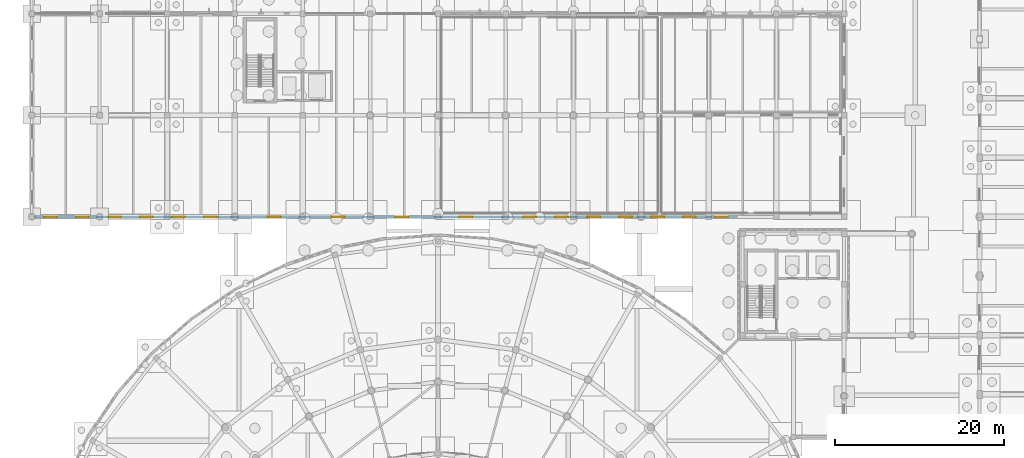
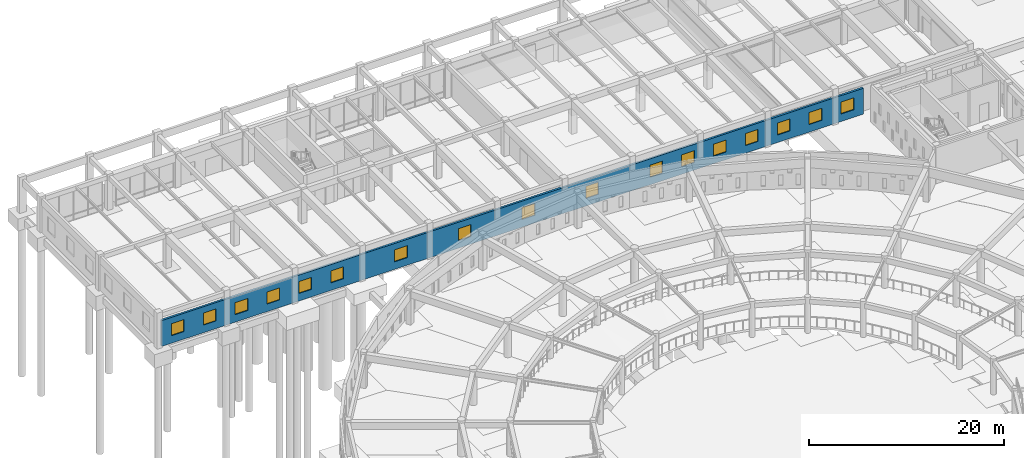
# One storey, part 53 of 84: 17 windows, 1 wall, 17 openings.
"""IFC4 building model written with IfcOpenShell, lengths in metres."""

from ifc_helpers import new_model, si_unit, direction, frame, frame_2d, origin, place, context, subcontext, project, spatial, rectangle, extrude, material, layer, layer_set, type_object, element, fill, save


model = new_model("IFC4")

# Units and contexts
model_context = context("Model", 3, precision=1e-05, world=origin(), true_north=direction((0.0, 1.0)))
body_context = subcontext(model_context, "Body", "Model", "MODEL_VIEW")
ifc_project = project(units=[si_unit("LENGTHUNIT", "METRE"), si_unit("AREAUNIT", "SQUARE_METRE"), si_unit("VOLUMEUNIT", "CUBIC_METRE"), si_unit("PLANEANGLEUNIT", "RADIAN"), si_unit("MASSUNIT", "GRAM", prefix="KILO")], contexts=[model_context])

# Site, building, storey
site_placement = place(None, origin())
site = spatial("IfcSite", under=ifc_project, at=site_placement, CompositionType="ELEMENT")
building_placement = place(site_placement, origin())
building = spatial("IfcBuilding", under=site, at=building_placement, Name="Larkveld Mobility Hub", CompositionType="ELEMENT")
storey_placement = place(building_placement, origin())
storey = spatial("IfcBuildingStorey", under=building, at=storey_placement, Name="L00", CompositionType="ELEMENT", Elevation=0.0)

# Wall, openings, windows
ifc_material_1 = material(Name="Precast concrete C50/60", Category="concrete")
ifc_layer = layer(ifc_material_1, 0.239990234375, Name="Precast concrete C50/60", Category="concrete")
ifc_layer_set = layer_set([ifc_layer], Name="Precast concrete C50/60")
wall_type = type_object("IfcWallType", Name="WL-EXT-240", PredefinedType="SOLIDWALL", material=ifc_layer_set)
wall_placement = place(storey_placement, frame((0.3349609375, 98.0, 0.0), z_axis=(0.0, 0.0, 1.0), x_axis=(1.0, 0.0, 0.0)))
wall = element("IfcWall", 1, at=wall_placement, inside=storey, type_object=wall_type, Name="Bicycle Hall South Court Wall L00-0184", PredefinedType="SOLIDWALL", context=body_context, shape_type="SweptSolid", body=[
    extrude(rectangle(XDim=83.06494140625, YDim=0.239990234375, at=frame_2d((41.532470703125, 0.0))), origin(), (0.0, 0.0, 1.0), 3.2451171875),
])
opening_1_placement = place(wall_placement, frame((1.137939453125, 0.0, 0.949951171875)))
opening_1 = element("IfcOpeningElement", 2, at=opening_1_placement, cuts=wall, Name="Opening W06", PredefinedType="OPENING", context=body_context, shape_type="SweptSolid", body=[
    extrude(rectangle(XDim=1.5, YDim=1.5, at=frame_2d((0.75, 0.75))), frame((0.0, 0.1298828125, 0.0), z_axis=(0.0, -1.0, 0.0), x_axis=(1.0, 0.0, 0.0)), (0.0, 0.0, 1.0), 0.260009765625),
])
opening_2_placement = place(wall_placement, frame((4.9140625, 0.0, 0.949951171875)))
opening_2 = element("IfcOpeningElement", 3, at=opening_2_placement, cuts=wall, Name="Opening W06", PredefinedType="OPENING", context=body_context, shape_type="SweptSolid", body=[
    extrude(rectangle(XDim=1.5, YDim=1.5, at=frame_2d((0.75, 0.75))), frame((0.0, 0.1298828125, 0.0), z_axis=(0.0, -1.0, 0.0), x_axis=(1.0, 0.0, 0.0)), (0.0, 0.0, 1.0), 0.260009765625),
])
opening_3_placement = place(wall_placement, frame((8.68896484375, 0.0, 0.949951171875)))
opening_3 = element("IfcOpeningElement", 4, at=opening_3_placement, cuts=wall, Name="Opening W06", PredefinedType="OPENING", context=body_context, shape_type="SweptSolid", body=[
    extrude(rectangle(XDim=1.5, YDim=1.5, at=frame_2d((0.75, 0.75))), frame((0.0, 0.1298828125, 0.0), z_axis=(0.0, -1.0, 0.0), x_axis=(1.0, 0.0, 0.0)), (0.0, 0.0, 1.0), 0.260009765625),
])
opening_4_placement = place(wall_placement, frame((12.465087890625, 0.0, 0.949951171875)))
opening_4 = element("IfcOpeningElement", 5, at=opening_4_placement, cuts=wall, Name="Opening W06", PredefinedType="OPENING", context=body_context, shape_type="SweptSolid", body=[
    extrude(rectangle(XDim=1.5, YDim=1.5, at=frame_2d((0.75, 0.75))), frame((0.0, 0.1298828125, 0.0), z_axis=(0.0, -1.0, 0.0), x_axis=(1.0, 0.0, 0.0)), (0.0, 0.0, 1.0), 0.260009765625),
])
opening_5_placement = place(wall_placement, frame((16.240966796875, 0.0, 0.949951171875)))
opening_5 = element("IfcOpeningElement", 6, at=opening_5_placement, cuts=wall, Name="Opening W06", PredefinedType="OPENING", context=body_context, shape_type="SweptSolid", body=[
    extrude(rectangle(XDim=1.5, YDim=1.5, at=frame_2d((0.75, 0.75))), frame((0.0, 0.1298828125, 0.0), z_axis=(0.0, -1.0, 0.0), x_axis=(1.0, 0.0, 0.0)), (0.0, 0.0, 1.0), 0.260009765625),
])
opening_6_placement = place(wall_placement, frame((20.01611328125, 0.0, 0.949951171875)))
opening_6 = element("IfcOpeningElement", 7, at=opening_6_placement, cuts=wall, Name="Opening W06", PredefinedType="OPENING", context=body_context, shape_type="SweptSolid", body=[
    extrude(rectangle(XDim=1.5, YDim=1.5, at=frame_2d((0.75, 0.75))), frame((0.0, 0.1298828125, 0.0), z_axis=(0.0, -1.0, 0.0), x_axis=(1.0, 0.0, 0.0)), (0.0, 0.0, 1.0), 0.260009765625),
])
opening_7_placement = place(wall_placement, frame((27.568115234375, 0.0, 0.949951171875)))
opening_7 = element("IfcOpeningElement", 8, at=opening_7_placement, cuts=wall, Name="Opening W06", PredefinedType="OPENING", context=body_context, shape_type="SweptSolid", body=[
    extrude(rectangle(XDim=1.5, YDim=1.5, at=frame_2d((0.75, 0.75))), frame((0.0, 0.1298828125, 0.0), z_axis=(0.0, -1.0, 0.0), x_axis=(1.0, 0.0, 0.0)), (0.0, 0.0, 1.0), 0.260009765625),
])
opening_8_placement = place(wall_placement, frame((35.118896484375, 0.0, 0.949951171875)))
opening_8 = element("IfcOpeningElement", 9, at=opening_8_placement, cuts=wall, Name="Opening W06", PredefinedType="OPENING", context=body_context, shape_type="SweptSolid", body=[
    extrude(rectangle(XDim=1.5, YDim=1.5, at=frame_2d((0.75, 0.75))), frame((0.0, 0.1298828125, 0.0), z_axis=(0.0, -1.0, 0.0), x_axis=(1.0, 0.0, 0.0)), (0.0, 0.0, 1.0), 0.260009765625),
])
opening_9_placement = place(wall_placement, frame((42.669921875, 0.0, 0.949951171875)))
opening_9 = element("IfcOpeningElement", 10, at=opening_9_placement, cuts=wall, Name="Opening W06", PredefinedType="OPENING", context=body_context, shape_type="SweptSolid", body=[
    extrude(rectangle(XDim=1.5, YDim=1.5, at=frame_2d((0.75, 0.75))), frame((0.0, 0.1298828125, 0.0), z_axis=(0.0, -1.0, 0.0), x_axis=(1.0, 0.0, 0.0)), (0.0, 0.0, 1.0), 0.260009765625),
])
opening_10_placement = place(wall_placement, frame((50.221923828125, 0.0, 0.949951171875)))
opening_10 = element("IfcOpeningElement", 11, at=opening_10_placement, cuts=wall, Name="Opening W06", PredefinedType="OPENING", context=body_context, shape_type="SweptSolid", body=[
    extrude(rectangle(XDim=1.5, YDim=1.5, at=frame_2d((0.75, 0.75))), frame((0.0, 0.1298828125, 0.0), z_axis=(0.0, -1.0, 0.0), x_axis=(1.0, 0.0, 0.0)), (0.0, 0.0, 1.0), 0.260009765625),
])
opening_11_placement = place(wall_placement, frame((57.77294921875, 0.0, 0.949951171875)))
opening_11 = element("IfcOpeningElement", 12, at=opening_11_placement, cuts=wall, Name="Opening W06", PredefinedType="OPENING", context=body_context, shape_type="SweptSolid", body=[
    extrude(rectangle(XDim=1.5, YDim=1.5, at=frame_2d((0.75, 0.75))), frame((0.0, 0.1298828125, 0.0), z_axis=(0.0, -1.0, 0.0), x_axis=(1.0, 0.0, 0.0)), (0.0, 0.0, 1.0), 0.260009765625),
])
opening_12_placement = place(wall_placement, frame((61.549072265625, 0.0, 0.949951171875)))
opening_12 = element("IfcOpeningElement", 13, at=opening_12_placement, cuts=wall, Name="Opening W06", PredefinedType="OPENING", context=body_context, shape_type="SweptSolid", body=[
    extrude(rectangle(XDim=1.5, YDim=1.5, at=frame_2d((0.75, 0.75))), frame((0.0, 0.1298828125, 0.0), z_axis=(0.0, -1.0, 0.0), x_axis=(1.0, 0.0, 0.0)), (0.0, 0.0, 1.0), 0.260009765625),
])
opening_13_placement = place(wall_placement, frame((65.323974609375, 0.0, 0.949951171875)))
opening_13 = element("IfcOpeningElement", 14, at=opening_13_placement, cuts=wall, Name="Opening W06", PredefinedType="OPENING", context=body_context, shape_type="SweptSolid", body=[
    extrude(rectangle(XDim=1.5, YDim=1.5, at=frame_2d((0.75, 0.75))), frame((0.0, 0.1298828125, 0.0), z_axis=(0.0, -1.0, 0.0), x_axis=(1.0, 0.0, 0.0)), (0.0, 0.0, 1.0), 0.260009765625),
])
opening_14_placement = place(wall_placement, frame((69.10009765625, 0.0, 0.949951171875)))
opening_14 = element("IfcOpeningElement", 15, at=opening_14_placement, cuts=wall, Name="Opening W06", PredefinedType="OPENING", context=body_context, shape_type="SweptSolid", body=[
    extrude(rectangle(XDim=1.5, YDim=1.5, at=frame_2d((0.75, 0.75))), frame((0.0, 0.1298828125, 0.0), z_axis=(0.0, -1.0, 0.0), x_axis=(1.0, 0.0, 0.0)), (0.0, 0.0, 1.0), 0.260009765625),
])
opening_15_placement = place(wall_placement, frame((72.8759765625, 0.0, 0.949951171875)))
opening_15 = element("IfcOpeningElement", 16, at=opening_15_placement, cuts=wall, Name="Opening W06", PredefinedType="OPENING", context=body_context, shape_type="SweptSolid", body=[
    extrude(rectangle(XDim=1.5, YDim=1.5, at=frame_2d((0.75, 0.75))), frame((0.0, 0.1298828125, 0.0), z_axis=(0.0, -1.0, 0.0), x_axis=(1.0, 0.0, 0.0)), (0.0, 0.0, 1.0), 0.260009765625),
])
opening_16_placement = place(wall_placement, frame((76.65087890625, 0.0, 0.949951171875)))
opening_16 = element("IfcOpeningElement", 17, at=opening_16_placement, cuts=wall, Name="Opening W06", PredefinedType="OPENING", context=body_context, shape_type="SweptSolid", body=[
    extrude(rectangle(XDim=1.5, YDim=1.5, at=frame_2d((0.75, 0.75))), frame((0.0, 0.1298828125, 0.0), z_axis=(0.0, -1.0, 0.0), x_axis=(1.0, 0.0, 0.0)), (0.0, 0.0, 1.0), 0.260009765625),
])
opening_17_placement = place(wall_placement, frame((80.427001953125, 0.0, 0.949951171875)))
opening_17 = element("IfcOpeningElement", 18, at=opening_17_placement, cuts=wall, Name="Opening W06", PredefinedType="OPENING", context=body_context, shape_type="SweptSolid", body=[
    extrude(rectangle(XDim=1.5, YDim=1.5, at=frame_2d((0.75, 0.75))), frame((0.0, 0.1298828125, 0.0), z_axis=(0.0, -1.0, 0.0), x_axis=(1.0, 0.0, 0.0)), (0.0, 0.0, 1.0), 0.260009765625),
])
ifc_material_2 = material(Name="Low-E double glazing in aluminium frame", Category="aluminium")
window_type = type_object("IfcWindowType", Name="WN-ALU-06", PartitioningType="SINGLE_PANEL", PredefinedType="WINDOW", material=ifc_material_2)
window_1_placement = place(opening_1_placement, origin())
window_1 = element("IfcWindow", 19, at=window_1_placement, inside=storey, type_object=window_type, Name="Window W06 (0846)", OverallHeight=1.5, OverallWidth=1.5, PartitioningType="SINGLE_PANEL", PredefinedType="WINDOW", context=body_context, shape_type="SweptSolid", body=[
    extrude(rectangle(XDim=1.5, YDim=1.5, at=frame_2d((0.75, 0.75))), frame((0.0, 0.030029296875, 0.0), z_axis=(0.0, -1.0, 0.0), x_axis=(1.0, 0.0, 0.0)), (0.0, 0.0, 1.0), 0.06005859375),
])
fill(opening_1, window_1)
window_2_placement = place(opening_2_placement, origin())
window_2 = element("IfcWindow", 20, at=window_2_placement, inside=storey, type_object=window_type, Name="Window W06 (0847)", OverallHeight=1.5, OverallWidth=1.5, PartitioningType="SINGLE_PANEL", PredefinedType="WINDOW", context=body_context, shape_type="SweptSolid", body=[
    extrude(rectangle(XDim=1.5, YDim=1.5, at=frame_2d((0.75, 0.75))), frame((0.0, 0.030029296875, 0.0), z_axis=(0.0, -1.0, 0.0), x_axis=(1.0, 0.0, 0.0)), (0.0, 0.0, 1.0), 0.06005859375),
])
fill(opening_2, window_2)
window_3_placement = place(opening_3_placement, origin())
window_3 = element("IfcWindow", 21, at=window_3_placement, inside=storey, type_object=window_type, Name="Window W06 (0848)", OverallHeight=1.5, OverallWidth=1.5, PartitioningType="SINGLE_PANEL", PredefinedType="WINDOW", context=body_context, shape_type="SweptSolid", body=[
    extrude(rectangle(XDim=1.5, YDim=1.5, at=frame_2d((0.75, 0.75))), frame((0.0, 0.030029296875, 0.0), z_axis=(0.0, -1.0, 0.0), x_axis=(1.0, 0.0, 0.0)), (0.0, 0.0, 1.0), 0.06005859375),
])
fill(opening_3, window_3)
window_4_placement = place(opening_4_placement, origin())
window_4 = element("IfcWindow", 22, at=window_4_placement, inside=storey, type_object=window_type, Name="Window W06 (0849)", OverallHeight=1.5, OverallWidth=1.5, PartitioningType="SINGLE_PANEL", PredefinedType="WINDOW", context=body_context, shape_type="SweptSolid", body=[
    extrude(rectangle(XDim=1.5, YDim=1.5, at=frame_2d((0.75, 0.75))), frame((0.0, 0.030029296875, 0.0), z_axis=(0.0, -1.0, 0.0), x_axis=(1.0, 0.0, 0.0)), (0.0, 0.0, 1.0), 0.06005859375),
])
fill(opening_4, window_4)
window_5_placement = place(opening_5_placement, origin())
window_5 = element("IfcWindow", 23, at=window_5_placement, inside=storey, type_object=window_type, Name="Window W06 (0850)", OverallHeight=1.5, OverallWidth=1.5, PartitioningType="SINGLE_PANEL", PredefinedType="WINDOW", context=body_context, shape_type="SweptSolid", body=[
    extrude(rectangle(XDim=1.5, YDim=1.5, at=frame_2d((0.75, 0.75))), frame((0.0, 0.030029296875, 0.0), z_axis=(0.0, -1.0, 0.0), x_axis=(1.0, 0.0, 0.0)), (0.0, 0.0, 1.0), 0.06005859375),
])
fill(opening_5, window_5)
window_6_placement = place(opening_6_placement, origin())
window_6 = element("IfcWindow", 24, at=window_6_placement, inside=storey, type_object=window_type, Name="Window W06 (0851)", OverallHeight=1.5, OverallWidth=1.5, PartitioningType="SINGLE_PANEL", PredefinedType="WINDOW", context=body_context, shape_type="SweptSolid", body=[
    extrude(rectangle(XDim=1.5, YDim=1.5, at=frame_2d((0.75, 0.75))), frame((0.0, 0.030029296875, 0.0), z_axis=(0.0, -1.0, 0.0), x_axis=(1.0, 0.0, 0.0)), (0.0, 0.0, 1.0), 0.06005859375),
])
fill(opening_6, window_6)
window_7_placement = place(opening_7_placement, origin())
window_7 = element("IfcWindow", 25, at=window_7_placement, inside=storey, type_object=window_type, Name="Window W06 (0852)", OverallHeight=1.5, OverallWidth=1.5, PartitioningType="SINGLE_PANEL", PredefinedType="WINDOW", context=body_context, shape_type="SweptSolid", body=[
    extrude(rectangle(XDim=1.5, YDim=1.5, at=frame_2d((0.75, 0.75))), frame((0.0, 0.030029296875, 0.0), z_axis=(0.0, -1.0, 0.0), x_axis=(1.0, 0.0, 0.0)), (0.0, 0.0, 1.0), 0.06005859375),
])
fill(opening_7, window_7)
window_8_placement = place(opening_8_placement, origin())
window_8 = element("IfcWindow", 26, at=window_8_placement, inside=storey, type_object=window_type, Name="Window W06 (0853)", OverallHeight=1.5, OverallWidth=1.5, PartitioningType="SINGLE_PANEL", PredefinedType="WINDOW", context=body_context, shape_type="SweptSolid", body=[
    extrude(rectangle(XDim=1.5, YDim=1.5, at=frame_2d((0.75, 0.75))), frame((0.0, 0.030029296875, 0.0), z_axis=(0.0, -1.0, 0.0), x_axis=(1.0, 0.0, 0.0)), (0.0, 0.0, 1.0), 0.06005859375),
])
fill(opening_8, window_8)
window_9_placement = place(opening_9_placement, origin())
window_9 = element("IfcWindow", 27, at=window_9_placement, inside=storey, type_object=window_type, Name="Window W06 (0854)", OverallHeight=1.5, OverallWidth=1.5, PartitioningType="SINGLE_PANEL", PredefinedType="WINDOW", context=body_context, shape_type="SweptSolid", body=[
    extrude(rectangle(XDim=1.5, YDim=1.5, at=frame_2d((0.75, 0.75))), frame((0.0, 0.030029296875, 0.0), z_axis=(0.0, -1.0, 0.0), x_axis=(1.0, 0.0, 0.0)), (0.0, 0.0, 1.0), 0.06005859375),
])
fill(opening_9, window_9)
window_10_placement = place(opening_10_placement, origin())
window_10 = element("IfcWindow", 28, at=window_10_placement, inside=storey, type_object=window_type, Name="Window W06 (0855)", OverallHeight=1.5, OverallWidth=1.5, PartitioningType="SINGLE_PANEL", PredefinedType="WINDOW", context=body_context, shape_type="SweptSolid", body=[
    extrude(rectangle(XDim=1.5, YDim=1.5, at=frame_2d((0.75, 0.75))), frame((0.0, 0.030029296875, 0.0), z_axis=(0.0, -1.0, 0.0), x_axis=(1.0, 0.0, 0.0)), (0.0, 0.0, 1.0), 0.06005859375),
])
fill(opening_10, window_10)
window_11_placement = place(opening_11_placement, origin())
window_11 = element("IfcWindow", 29, at=window_11_placement, inside=storey, type_object=window_type, Name="Window W06 (0856)", OverallHeight=1.5, OverallWidth=1.5, PartitioningType="SINGLE_PANEL", PredefinedType="WINDOW", context=body_context, shape_type="SweptSolid", body=[
    extrude(rectangle(XDim=1.5, YDim=1.5, at=frame_2d((0.75, 0.75))), frame((0.0, 0.030029296875, 0.0), z_axis=(0.0, -1.0, 0.0), x_axis=(1.0, 0.0, 0.0)), (0.0, 0.0, 1.0), 0.06005859375),
])
fill(opening_11, window_11)
window_12_placement = place(opening_12_placement, origin())
window_12 = element("IfcWindow", 30, at=window_12_placement, inside=storey, type_object=window_type, Name="Window W06 (0857)", OverallHeight=1.5, OverallWidth=1.5, PartitioningType="SINGLE_PANEL", PredefinedType="WINDOW", context=body_context, shape_type="SweptSolid", body=[
    extrude(rectangle(XDim=1.5, YDim=1.5, at=frame_2d((0.75, 0.75))), frame((0.0, 0.030029296875, 0.0), z_axis=(0.0, -1.0, 0.0), x_axis=(1.0, 0.0, 0.0)), (0.0, 0.0, 1.0), 0.06005859375),
])
fill(opening_12, window_12)
window_13_placement = place(opening_13_placement, origin())
window_13 = element("IfcWindow", 31, at=window_13_placement, inside=storey, type_object=window_type, Name="Window W06 (0858)", OverallHeight=1.5, OverallWidth=1.5, PartitioningType="SINGLE_PANEL", PredefinedType="WINDOW", context=body_context, shape_type="SweptSolid", body=[
    extrude(rectangle(XDim=1.5, YDim=1.5, at=frame_2d((0.75, 0.75))), frame((0.0, 0.030029296875, 0.0), z_axis=(0.0, -1.0, 0.0), x_axis=(1.0, 0.0, 0.0)), (0.0, 0.0, 1.0), 0.06005859375),
])
fill(opening_13, window_13)
window_14_placement = place(opening_14_placement, origin())
window_14 = element("IfcWindow", 32, at=window_14_placement, inside=storey, type_object=window_type, Name="Window W06 (0859)", OverallHeight=1.5, OverallWidth=1.5, PartitioningType="SINGLE_PANEL", PredefinedType="WINDOW", context=body_context, shape_type="SweptSolid", body=[
    extrude(rectangle(XDim=1.5, YDim=1.5, at=frame_2d((0.75, 0.75))), frame((0.0, 0.030029296875, 0.0), z_axis=(0.0, -1.0, 0.0), x_axis=(1.0, 0.0, 0.0)), (0.0, 0.0, 1.0), 0.06005859375),
])
fill(opening_14, window_14)
window_15_placement = place(opening_15_placement, origin())
window_15 = element("IfcWindow", 33, at=window_15_placement, inside=storey, type_object=window_type, Name="Window W06 (0860)", OverallHeight=1.5, OverallWidth=1.5, PartitioningType="SINGLE_PANEL", PredefinedType="WINDOW", context=body_context, shape_type="SweptSolid", body=[
    extrude(rectangle(XDim=1.5, YDim=1.5, at=frame_2d((0.75, 0.75))), frame((0.0, 0.030029296875, 0.0), z_axis=(0.0, -1.0, 0.0), x_axis=(1.0, 0.0, 0.0)), (0.0, 0.0, 1.0), 0.06005859375),
])
fill(opening_15, window_15)
window_16_placement = place(opening_16_placement, origin())
window_16 = element("IfcWindow", 34, at=window_16_placement, inside=storey, type_object=window_type, Name="Window W06 (0861)", OverallHeight=1.5, OverallWidth=1.5, PartitioningType="SINGLE_PANEL", PredefinedType="WINDOW", context=body_context, shape_type="SweptSolid", body=[
    extrude(rectangle(XDim=1.5, YDim=1.5, at=frame_2d((0.75, 0.75))), frame((0.0, 0.030029296875, 0.0), z_axis=(0.0, -1.0, 0.0), x_axis=(1.0, 0.0, 0.0)), (0.0, 0.0, 1.0), 0.06005859375),
])
fill(opening_16, window_16)
window_17_placement = place(opening_17_placement, origin())
window_17 = element("IfcWindow", 35, at=window_17_placement, inside=storey, type_object=window_type, Name="Window W06 (0862)", OverallHeight=1.5, OverallWidth=1.5, PartitioningType="SINGLE_PANEL", PredefinedType="WINDOW", context=body_context, shape_type="SweptSolid", body=[
    extrude(rectangle(XDim=1.5, YDim=1.5, at=frame_2d((0.75, 0.75))), frame((0.0, 0.030029296875, 0.0), z_axis=(0.0, -1.0, 0.0), x_axis=(1.0, 0.0, 0.0)), (0.0, 0.0, 1.0), 0.06005859375),
])
fill(opening_17, window_17)

save(model, "model.ifc")
